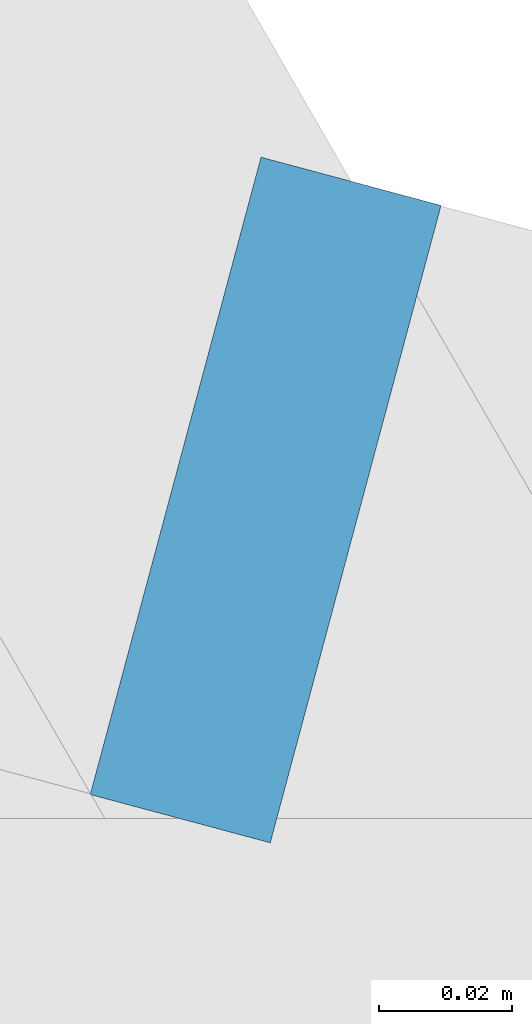
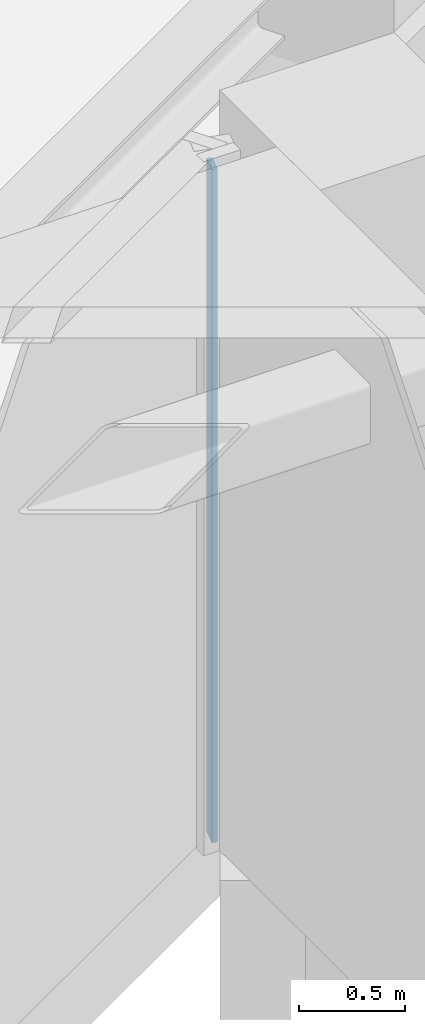
# One storey, part 13 of 27: 1 plate, 1 element without a shape of its own.
"""IFC4 building model written with IfcOpenShell, lengths in metres."""

from ifc_helpers import new_model, si_unit, direction, frame, origin, origin_2d, place, context, subcontext, project, spatial, rectangle, extrude, material, layer, layer_set, type_object, element, aggregate, save


model = new_model("IFC4")

# Units and contexts
model_context = context("Model", 3, precision=1e-05, world=origin(), true_north=direction((0.0, 1.0)))
body_context = subcontext(model_context, "Body", "Model", "MODEL_VIEW")
ifc_project = project(units=[si_unit("LENGTHUNIT", "METRE"), si_unit("AREAUNIT", "SQUARE_METRE"), si_unit("VOLUMEUNIT", "CUBIC_METRE"), si_unit("PLANEANGLEUNIT", "RADIAN"), si_unit("MASSUNIT", "GRAM", prefix="KILO")], contexts=[model_context])

# Site, building, storey
site_placement = place(None, origin())
site = spatial("IfcSite", under=ifc_project, at=site_placement, CompositionType="ELEMENT")
building_placement = place(site_placement, origin())
building = spatial("IfcBuilding", under=site, at=building_placement, Name="Ayvan Gate Tower", CompositionType="ELEMENT")
storey_placement = place(building_placement, frame((0.0, 0.0, 194.699951171875)))
storey = spatial("IfcBuildingStorey", under=building, at=storey_placement, Name="L52", CompositionType="ELEMENT", Elevation=194.699951171875)

# Curtain wall, plate
ifc_material_1 = material(Name="Bronze anodised aluminium", Category="aluminium")
ifc_layer_1 = layer(ifc_material_1, 0.199951171875)
ifc_layer_set_1 = layer_set([ifc_layer_1], Name="Bronze anodised aluminium")
curtain_wall_type = type_object("IfcCurtainWallType", Name="Stick curtain wall CW-6", PredefinedType="NOTDEFINED", material=ifc_layer_set_1)
curtain_wall_placement = place(storey_placement, origin())
curtain_wall = element("IfcCurtainWall", 1, at=curtain_wall_placement, inside=storey, type_object=curtain_wall_type, Name="Stick curtain wall CW-6 L52", PredefinedType="NOTDEFINED")
ifc_material_2 = material(Name="Clear low-iron laminated glass", Category="glass")
ifc_layer_2 = layer(ifc_material_2, 0.028076171875)
ifc_layer_set_2 = layer_set([ifc_layer_2], Name="Clear low-iron laminated glass")
plate_type = type_object("IfcPlateType", Name="Stick curtain wall CW-6 glass panel", PredefinedType="CURTAIN_PANEL", material=ifc_layer_set_2)
plate_placement = place(storey_placement, frame((-18.140625, 9.331298828125, 0.0), z_axis=(0.0, 0.0, 1.0), x_axis=(-0.258819045103, -0.965925826289, 0.0)))
plate = element("IfcPlate", 2, at=plate_placement, type_object=plate_type, Name="CW-6 glass panel 1", PredefinedType="CURTAIN_PANEL", context=body_context, shape_type="SweptSolid", body=[
    extrude(rectangle(XDim=0.099365234375, YDim=0.028076171875, at=origin_2d()), origin(), (0.0, 0.0, 1.0), 3.8798828125),
])
aggregate(curtain_wall, [plate])

save(model, "model.ifc")
